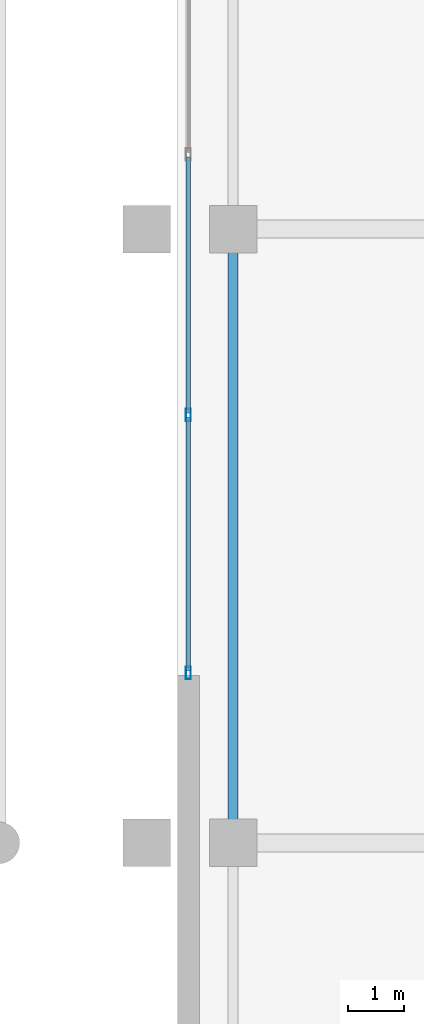
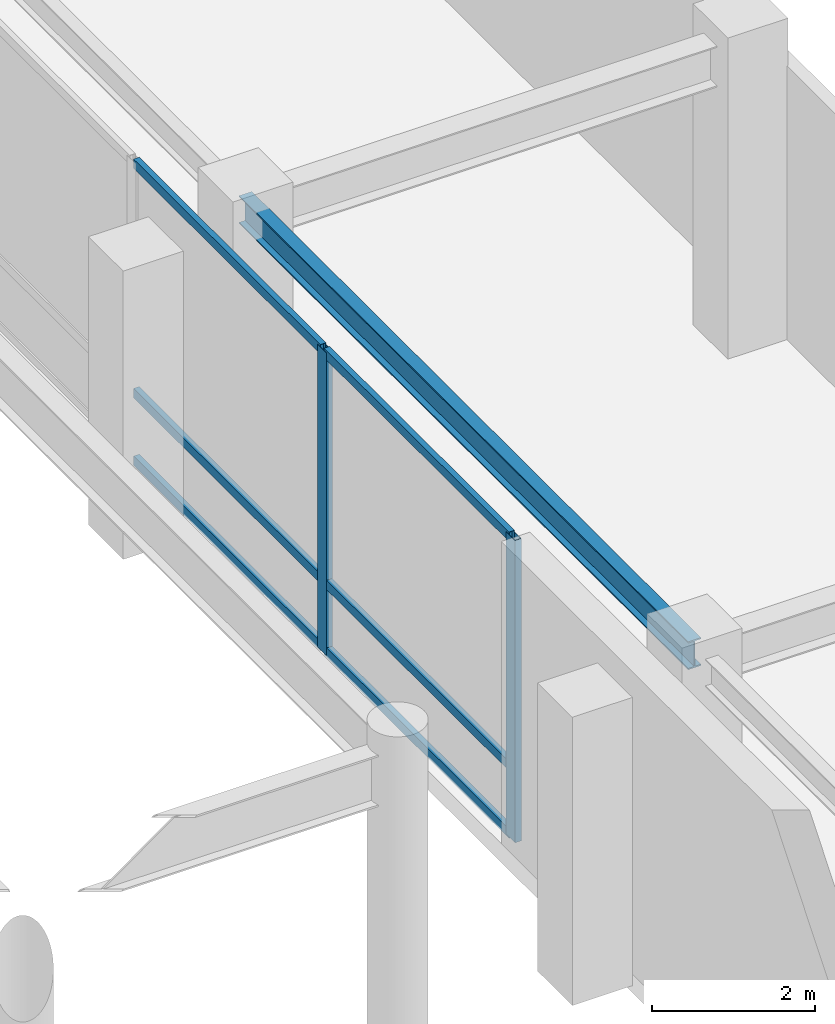
# One storey, part 11 of 36: 8 members, 1 beam, 1 element without a shape of its own.
"""IFC4 building model written with IfcOpenShell, lengths in metres."""

from ifc_helpers import new_model, si_unit, direction, frame, origin, origin_2d, place, context, subcontext, project, spatial, hollow_rectangle, i_section, extrude, material, layer, layer_set, material_profile, profile_set, type_object, element, aggregate, save


model = new_model("IFC4")

# Units and contexts
model_context = context("Model", 3, precision=1e-05, world=origin(), true_north=direction((0.0, 1.0)))
body_context = subcontext(model_context, "Body", "Model", "MODEL_VIEW")
ifc_project = project(units=[si_unit("LENGTHUNIT", "METRE"), si_unit("AREAUNIT", "SQUARE_METRE"), si_unit("VOLUMEUNIT", "CUBIC_METRE"), si_unit("PLANEANGLEUNIT", "RADIAN"), si_unit("MASSUNIT", "GRAM", prefix="KILO")], contexts=[model_context])

# Site, building, storey
site_placement = place(None, origin())
site = spatial("IfcSite", under=ifc_project, at=site_placement, CompositionType="ELEMENT")
building_placement = place(site_placement, origin())
building = spatial("IfcBuilding", under=site, at=building_placement, Name="Kazevale Care Tower and Concert Hall", CompositionType="ELEMENT")
storey_placement = place(building_placement, frame((0.0, 0.0, 14.39990234375)))
storey = spatial("IfcBuildingStorey", under=building, at=storey_placement, Name="L03", CompositionType="ELEMENT", Elevation=14.39990234375)

# Curtain wall, members
ifc_material_1 = material(Name="Aluminium 6063-T6 and Low-E Glass", Category="aluminium")
ifc_layer = layer(ifc_material_1, 0.179931640625)
ifc_layer_set = layer_set([ifc_layer], Name="Aluminium 6063-T6 and Low-E Glass")
curtain_wall_type = type_object("IfcCurtainWallType", Name="Concert Hall Foyer Storefront Curtain Wall CW-6", PredefinedType="NOTDEFINED", material=ifc_layer_set)
curtain_wall_placement = place(storey_placement, origin())
curtain_wall = element("IfcCurtainWall", 1, at=curtain_wall_placement, inside=storey, type_object=curtain_wall_type, Name="cw:L03:hall:W2", PredefinedType="NOTDEFINED")
ifc_material_2 = material(Name="Aluminium 6063-T6", Category="aluminium")
ifc_material_profile_1 = material_profile(ifc_material_2, hollow_rectangle(XDim=0.090087890625, YDim=0.219970703125, WallThickness=0.0048828125, at=origin_2d()), Name="ALU90x220x5")
ifc_profile_set_1 = profile_set([ifc_material_profile_1], Name="Aluminium 6063-T6")
member_type_1 = type_object("IfcMemberType", Name="CW-6 Mullion ALU90x220x5", PredefinedType="MULLION", material=ifc_profile_set_1)
member_1_placement = place(storey_placement, frame((96.199951171875, 32.666748046875, 0.0), z_axis=(0.0, 0.0, 1.0), x_axis=(1.0, 0.0, 0.0)))
member_1 = element("IfcMember", 2, at=member_1_placement, type_object=member_type_1, Name="CW-6 mullion 3", PredefinedType="MULLION", context=body_context, shape_type="SweptSolid", body=[
    extrude(hollow_rectangle(XDim=0.090087890625, YDim=0.219970703125, WallThickness=0.0048828125, at=origin_2d()), origin(), (0.0, 0.0, 1.0), 4.52001953125),
])
member_2_placement = place(storey_placement, frame((96.199951171875, 28.044921875, 0.0), z_axis=(0.0, 0.0, 1.0), x_axis=(1.0, 0.0, 0.0)))
member_2 = element("IfcMember", 3, at=member_2_placement, type_object=member_type_1, Name="CW-6 mullion 4", PredefinedType="MULLION", context=body_context, shape_type="SweptSolid", body=[
    extrude(hollow_rectangle(XDim=0.090087890625, YDim=0.219970703125, WallThickness=0.0048828125, at=origin_2d()), origin(), (0.0, 0.0, 1.0), 4.52001953125),
])
ifc_material_profile_2 = material_profile(ifc_material_2, hollow_rectangle(XDim=0.080078125, YDim=0.139892578125, WallThickness=0.00390625, at=origin_2d()), Name="ALU80x140x4")
ifc_profile_set_2 = profile_set([ifc_material_profile_2], Name="Aluminium 6063-T6")
member_type_2 = type_object("IfcMemberType", Name="CW-6 Transom ALU80x140x4", PredefinedType="USERDEFINED", material=ifc_profile_set_2)
member_3_placement = place(storey_placement, frame((96.199951171875, 37.288330078125, 0.0400390625), z_axis=(0.0, -1.0, 0.0), x_axis=(1.0, 0.0, 0.0)))
member_3 = element("IfcMember", 4, at=member_3_placement, type_object=member_type_2, Name="CW-6 transom 2.1", ObjectType="TRANSOM", PredefinedType="USERDEFINED", context=body_context, shape_type="SweptSolid", body=[
    extrude(hollow_rectangle(XDim=0.080078125, YDim=0.139892578125, WallThickness=0.00390625, at=origin_2d()), origin(), (0.0, 0.0, 1.0), 4.57666015625),
])
member_4_placement = place(storey_placement, frame((96.199951171875, 37.288330078125, 1.050048828125), z_axis=(0.0, -1.0, 0.0), x_axis=(1.0, 0.0, 0.0)))
member_4 = element("IfcMember", 5, at=member_4_placement, type_object=member_type_2, Name="CW-6 transom 2.2", ObjectType="TRANSOM", PredefinedType="USERDEFINED", context=body_context, shape_type="SweptSolid", body=[
    extrude(hollow_rectangle(XDim=0.080078125, YDim=0.139892578125, WallThickness=0.00390625, at=origin_2d()), origin(), (0.0, 0.0, 1.0), 4.57666015625),
])
member_5_placement = place(storey_placement, frame((96.199951171875, 37.288330078125, 4.47998046875), z_axis=(0.0, -1.0, 0.0), x_axis=(1.0, 0.0, 0.0)))
member_5 = element("IfcMember", 6, at=member_5_placement, type_object=member_type_2, Name="CW-6 transom 2.3", ObjectType="TRANSOM", PredefinedType="USERDEFINED", context=body_context, shape_type="SweptSolid", body=[
    extrude(hollow_rectangle(XDim=0.080078125, YDim=0.139892578125, WallThickness=0.00390625, at=origin_2d()), origin(), (0.0, 0.0, 1.0), 4.57666015625),
])
member_6_placement = place(storey_placement, frame((96.199951171875, 32.62158203125, 0.0400390625), z_axis=(0.0, -1.0, 0.0), x_axis=(1.0, 0.0, 0.0)))
member_6 = element("IfcMember", 7, at=member_6_placement, type_object=member_type_2, Name="CW-6 transom 3.1", ObjectType="TRANSOM", PredefinedType="USERDEFINED", context=body_context, shape_type="SweptSolid", body=[
    extrude(hollow_rectangle(XDim=0.080078125, YDim=0.139892578125, WallThickness=0.00390625, at=origin_2d()), origin(), (0.0, 0.0, 1.0), 4.531494140625),
])
member_7_placement = place(storey_placement, frame((96.199951171875, 32.62158203125, 1.050048828125), z_axis=(0.0, -1.0, 0.0), x_axis=(1.0, 0.0, 0.0)))
member_7 = element("IfcMember", 8, at=member_7_placement, type_object=member_type_2, Name="CW-6 transom 3.2", ObjectType="TRANSOM", PredefinedType="USERDEFINED", context=body_context, shape_type="SweptSolid", body=[
    extrude(hollow_rectangle(XDim=0.080078125, YDim=0.139892578125, WallThickness=0.00390625, at=origin_2d()), origin(), (0.0, 0.0, 1.0), 4.531494140625),
])
member_8_placement = place(storey_placement, frame((96.199951171875, 32.62158203125, 4.47998046875), z_axis=(0.0, -1.0, 0.0), x_axis=(1.0, 0.0, 0.0)))
member_8 = element("IfcMember", 9, at=member_8_placement, type_object=member_type_2, Name="CW-6 transom 3.3", ObjectType="TRANSOM", PredefinedType="USERDEFINED", context=body_context, shape_type="SweptSolid", body=[
    extrude(hollow_rectangle(XDim=0.080078125, YDim=0.139892578125, WallThickness=0.00390625, at=origin_2d()), origin(), (0.0, 0.0, 1.0), 4.531494140625),
])
aggregate(curtain_wall, [member_1, member_2, member_3, member_4, member_5, member_6, member_7, member_8])

# Beam
ifc_material_3 = material(Name="Steel ASTM A572 Gr 50", Category="steel")
ifc_material_profile_3 = material_profile(ifc_material_3, i_section(OverallWidth=0.180908203125, OverallDepth=0.4169921875, WebThickness=0.010986328125, FlangeThickness=0.018310546875, at=origin_2d()), Name="W410x85")
ifc_profile_set_3 = profile_set([ifc_material_profile_3], Name="Steel ASTM A572 Gr 50")
beam_type = type_object("IfcBeamType", Name="Concert Hall Secondary Beam W410x85", PredefinedType="BEAM", material=ifc_profile_set_3)
beam_placement = place(storey_placement, frame((97.0, 25.0, 4.3115234375), z_axis=(0.0, 1.0, 0.0), x_axis=(-1.0, 0.0, 0.0)))
element("IfcBeam", 10, at=beam_placement, inside=storey, type_object=beam_type, Name="beam:L03:hy:97_25", PredefinedType="BEAM", context=body_context, shape_type="SweptSolid", body=[
    extrude(i_section(OverallWidth=0.180908203125, OverallDepth=0.4169921875, WebThickness=0.010986328125, FlangeThickness=0.018310546875, at=origin_2d()), origin(), (0.0, 0.0, 1.0), 11.0),
])

save(model, "model.ifc")
